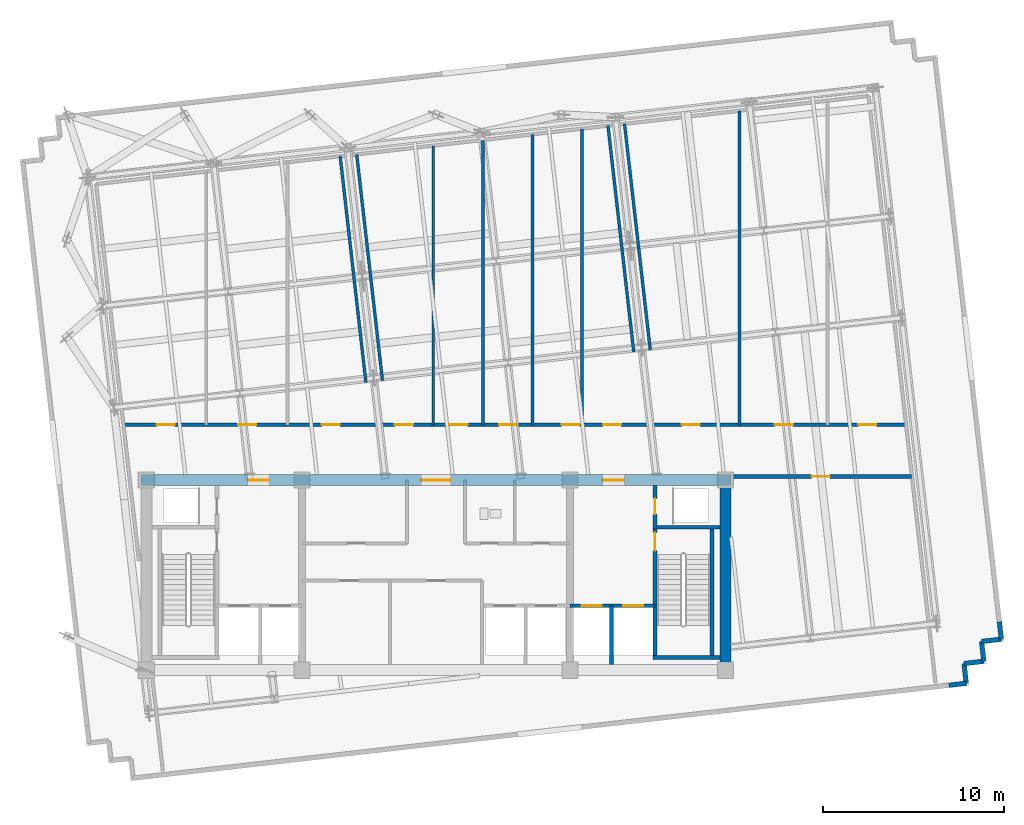
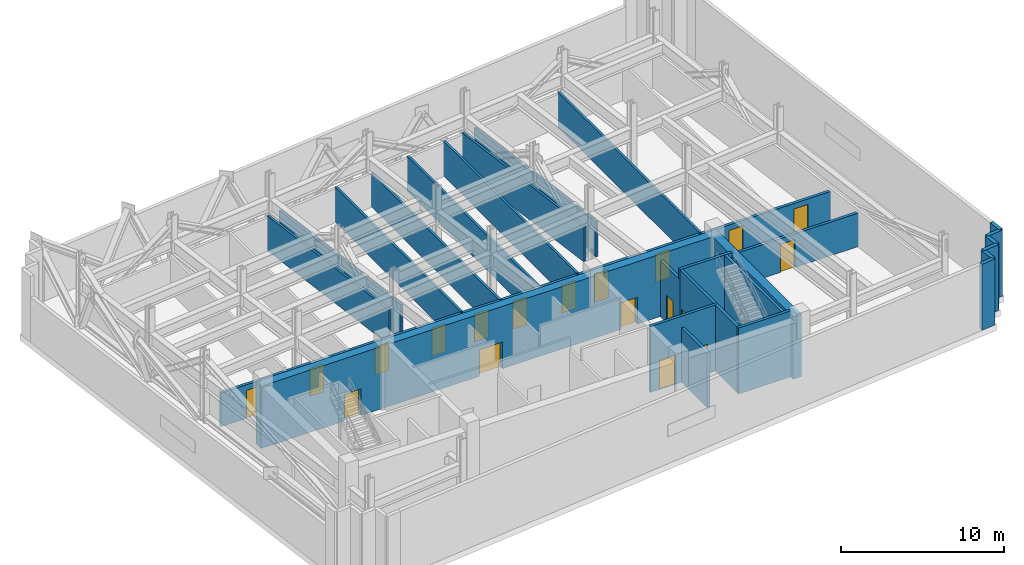
# One storey, part 6 of 10: 26 walls, 19 doors, 19 openings.
"""IFC4 building model written with IfcOpenShell, lengths in metres."""

from ifc_helpers import new_model, si_unit, direction, frame, frame_2d, origin, place, context, subcontext, project, spatial, rectangle, extrude, material, layer, layer_set, type_object, element, fill, save


model = new_model("IFC4")

# Units and contexts
model_context = context("Model", 3, precision=1e-05, world=origin(), true_north=direction((0.0, 1.0)))
body_context = subcontext(model_context, "Body", "Model", "MODEL_VIEW")
ifc_project = project(units=[si_unit("LENGTHUNIT", "METRE"), si_unit("AREAUNIT", "SQUARE_METRE"), si_unit("VOLUMEUNIT", "CUBIC_METRE"), si_unit("PLANEANGLEUNIT", "RADIAN"), si_unit("MASSUNIT", "GRAM", prefix="KILO")], contexts=[model_context])

# Site, building, storey
site_placement = place(None, origin())
site = spatial("IfcSite", under=ifc_project, at=site_placement, CompositionType="ELEMENT")
building_placement = place(site_placement, origin())
building = spatial("IfcBuilding", under=site, at=building_placement, Name="Solmavex Isthmus Hotel", CompositionType="ELEMENT")
storey_placement = place(building_placement, frame((0.0, 0.0, 240.0)))
storey = spatial("IfcBuildingStorey", under=building, at=storey_placement, Name="L65", CompositionType="ELEMENT", Elevation=240.0)

# Walls
ifc_material_1 = material(Name="Precast Concrete C40/50", Category="concrete")
ifc_layer_1 = layer(ifc_material_1, 0.260009765625)
ifc_layer_set_1 = layer_set([ifc_layer_1], Name="Precast Concrete C40/50")
wall_type_1 = type_object("IfcWallType", Name="EW-CRN-260", PredefinedType="STANDARD", material=ifc_layer_set_1)
wall_1_placement = place(storey_placement, frame((31.127685546875, -10.330322265625, 0.0), z_axis=(0.0, 0.0, 1.0), x_axis=(0.113000037402, -0.993594983656, 0.0)))
element("IfcWall", 1, at=wall_1_placement, inside=storey, type_object=wall_type_1, Name="Plant Acoustic Louvre Enclosure Wall L65-22", PredefinedType="STANDARD", context=body_context, shape_type="SweptSolid", body=[
    extrude(rectangle(XDim=0.969970703125, YDim=0.260009765625, at=frame_2d((0.48486328125, 0.0))), origin(), (0.0, 0.0, 1.0), 4.949951171875),
])
for number, where, z_axis, x_axis, name in (
    (2, (31.2373046875, -11.294189453125, 0.0), (0.0, 0.0, 1.0), (-0.99357125103, -0.11320852056, 0.0), "Plant Acoustic Louvre Enclosure Wall L65-23"),
    (3, (30.14453125, -11.418701171875, 0.0), (0.0, 0.0, 1.0), (0.11320852056, -0.99357125103, 0.0), "Plant Acoustic Louvre Enclosure Wall L65-24"),
):
    element("IfcWall", number, at=place(storey_placement, frame(where, z_axis=z_axis, x_axis=x_axis)), inside=storey, type_object=wall_type_1, Name=name, PredefinedType="STANDARD", context=body_context, shape_type="SweptSolid", body=[
        extrude(rectangle(XDim=1.099853515625, YDim=0.260009765625, at=frame_2d((0.5498046875, 0.0))), origin(), (0.0, 0.0, 1.0), 4.949951171875),
    ])
for number, where, z_axis, x_axis, name in (
    (4, (30.26904296875, -12.511474609375, 0.0), (0.0, 0.0, 1.0), (-0.99357409499, -0.113183557839, 0.0), "Plant Acoustic Louvre Enclosure Wall L65-25"),
    (5, (29.176025390625, -12.635986328125, 0.0), (0.0, 0.0, 1.0), (0.113183557839, -0.99357409499, 0.0), "Plant Acoustic Louvre Enclosure Wall L65-26"),
):
    element("IfcWall", number, at=place(storey_placement, frame(where, z_axis=z_axis, x_axis=x_axis)), inside=storey, type_object=wall_type_1, Name=name, PredefinedType="STANDARD", context=body_context, shape_type="SweptSolid", body=[
        extrude(rectangle(XDim=1.10009765625, YDim=0.260009765625, at=frame_2d((0.550048828125, 0.0))), origin(), (0.0, 0.0, 1.0), 4.949951171875),
    ])
wall_2_placement = place(storey_placement, frame((29.300537109375, -13.72900390625, 0.0), z_axis=(0.0, 0.0, 1.0), x_axis=(-0.99356346793, -0.113276807846, 0.0)))
element("IfcWall", 6, at=wall_2_placement, inside=storey, type_object=wall_type_1, Name="Plant Acoustic Louvre Enclosure Wall L65-27", PredefinedType="STANDARD", context=body_context, shape_type="SweptSolid", body=[
    extrude(rectangle(XDim=0.969970703125, YDim=0.260009765625, at=frame_2d((0.48486328125, 0.0))), origin(), (0.0, 0.0, 1.0), 4.949951171875),
])
ifc_material_2 = material(Name="Gypsum plasterboard lining", Category="gypsum")
ifc_layer_2 = layer(ifc_material_2, 0.159912109375)
ifc_layer_set_2 = layer_set([ifc_layer_2], Name="Gypsum plasterboard lining")
wall_type_2 = type_object("IfcWallType", Name="IW-COMP-160", PredefinedType="PARTITIONING", material=ifc_layer_set_2)
for number, where, z_axis, x_axis, name in (
    (7, (-3.870361328125, 2.892822265625, 0.0), (0.0, 0.0, 1.0), (-0.113202305604, 0.993571959148, 0.0), "Interior Partition Wall W-L65-OTWL"),
    (8, (-2.956298828125, 2.9970703125, 0.0), (0.0, 0.0, 1.0), (-0.113202305604, 0.993571959148, 0.0), "Interior Partition Wall W-L65-OTWR"),
):
    element("IfcWall", number, at=place(storey_placement, frame(where, z_axis=z_axis, x_axis=x_axis)), inside=storey, type_object=wall_type_2, Name=name, PredefinedType="PARTITIONING", context=body_context, shape_type="SweptSolid", body=[
        extrude(rectangle(XDim=12.579833984375, YDim=0.159912109375, at=frame_2d((6.2900390625, 0.0))), origin(), (0.0, 0.0, 1.0), 2.615966796875),
    ])
wall_3_placement = place(storey_placement, frame((10.926025390625, 4.57861328125, 0.0), z_axis=(0.0, 0.0, 1.0), x_axis=(-0.113200122826, 0.99357220784, 0.0)))
element("IfcWall", 9, at=wall_3_placement, inside=storey, type_object=wall_type_2, Name="Interior Partition Wall W-L65-OTEL", PredefinedType="PARTITIONING", context=body_context, shape_type="SweptSolid", body=[
    extrude(rectangle(XDim=12.580078125, YDim=0.159912109375, at=frame_2d((6.2900390625, 0.0))), origin(), (0.0, 0.0, 1.0), 2.615966796875),
])
wall_4_placement = place(storey_placement, frame((11.840087890625, 4.682861328125, 0.0), z_axis=(0.0, 0.0, 1.0), x_axis=(-0.113202305604, 0.993571959148, 0.0)))
element("IfcWall", 10, at=wall_4_placement, inside=storey, type_object=wall_type_2, Name="Interior Partition Wall W-L65-OTER", PredefinedType="PARTITIONING", context=body_context, shape_type="SweptSolid", body=[
    extrude(rectangle(XDim=12.579833984375, YDim=0.159912109375, at=frame_2d((6.2900390625, 0.0))), origin(), (0.0, 0.0, 1.0), 2.615966796875),
])
wall_5_placement = place(storey_placement, frame((-0.14990234375, 0.550048828125, 0.0), z_axis=(0.0, 0.0, 1.0), x_axis=(0.0, 1.0, 0.0)))
element("IfcWall", 11, at=wall_5_placement, inside=storey, type_object=wall_type_2, Name="Interior Partition Wall W-L65-PX4", PredefinedType="PARTITIONING", context=body_context, shape_type="SweptSolid", body=[
    extrude(rectangle(XDim=15.407958984375, YDim=0.159912109375, at=frame_2d((7.7041015625, 0.0))), origin(), (0.0, 0.0, 1.0), 2.615966796875),
])
wall_6_placement = place(storey_placement, frame((2.590087890625, 0.550048828125, 0.0), z_axis=(0.0, 0.0, 1.0), x_axis=(0.0, 1.0, 0.0)))
element("IfcWall", 12, at=wall_6_placement, inside=storey, type_object=wall_type_2, Name="Interior Partition Wall W-L65-PX5", PredefinedType="PARTITIONING", context=body_context, shape_type="SweptSolid", body=[
    extrude(rectangle(XDim=15.719970703125, YDim=0.159912109375, at=frame_2d((7.85986328125, 0.0))), origin(), (0.0, 0.0, 1.0), 2.518798828125),
])
wall_7_placement = place(storey_placement, frame((5.330078125, 0.550048828125, 0.0), z_axis=(0.0, 0.0, 1.0), x_axis=(0.0, 1.0, 0.0)))
element("IfcWall", 13, at=wall_7_placement, inside=storey, type_object=wall_type_2, Name="Interior Partition Wall W-L65-PX6", PredefinedType="PARTITIONING", context=body_context, shape_type="SweptSolid", body=[
    extrude(rectangle(XDim=16.0322265625, YDim=0.159912109375, at=frame_2d((8.01611328125, 0.0))), origin(), (0.0, 0.0, 1.0), 2.615966796875),
])
wall_8_placement = place(storey_placement, frame((8.070068359375, 0.550048828125, 0.0), z_axis=(0.0, 0.0, 1.0), x_axis=(0.0, 1.0, 0.0)))
element("IfcWall", 14, at=wall_8_placement, inside=storey, type_object=wall_type_2, Name="Interior Partition Wall W-L65-PX7", PredefinedType="PARTITIONING", context=body_context, shape_type="SweptSolid", body=[
    extrude(rectangle(XDim=16.344482421875, YDim=0.159912109375, at=frame_2d((8.17236328125, 0.0))), origin(), (0.0, 0.0, 1.0), 2.615966796875),
])
wall_9_placement = place(storey_placement, frame((16.77001953125, 0.550048828125, 0.0), z_axis=(0.0, 0.0, 1.0), x_axis=(0.0, 1.0, 0.0)))
element("IfcWall", 15, at=wall_9_placement, inside=storey, type_object=wall_type_2, Name="Interior Partition Wall W-L65-PX9", PredefinedType="PARTITIONING", context=body_context, shape_type="SweptSolid", body=[
    extrude(rectangle(XDim=17.335693359375, YDim=0.159912109375, at=frame_2d((8.66796875, 0.0))), origin(), (0.0, 0.0, 1.0), 2.615966796875),
])

# Wall, opening, door
ifc_material_3 = material(Name="Concrete C40/50", Category="concrete")
ifc_layer_3 = layer(ifc_material_3, 0.199951171875)
ifc_layer_set_3 = layer_set([ifc_layer_3], Name="Concrete C40/50")
wall_type_3 = type_object("IfcWallType", Name="IW-SHAFT-200", PredefinedType="PARTITIONING", material=ifc_layer_set_3)
wall_10_placement = place(storey_placement, frame((12.10009765625, -5.199951171875, 0.0), z_axis=(0.0, 0.0, 1.0), x_axis=(0.0, 1.0, 0.0)))
wall_10 = element("IfcWall", 16, at=wall_10_placement, inside=storey, type_object=wall_type_3, Name="Interior Partition Wall W-L65-RSE-W", PredefinedType="PARTITIONING", context=body_context, shape_type="SweptSolid", body=[
    extrude(rectangle(XDim=2.39990234375, YDim=0.199951171875, at=frame_2d((1.199951171875, 0.0))), origin(), (0.0, 0.0, 1.0), 4.195068359375),
])
opening_1_placement = place(wall_10_placement, frame((0.824951171875, 0.0, 0.0)))
opening_1 = element("IfcOpeningElement", 17, at=opening_1_placement, cuts=wall_10, Name="Opening ID-R085", PredefinedType="OPENING", context=body_context, shape_type="SweptSolid", body=[
    extrude(rectangle(XDim=0.85009765625, YDim=2.050048828125, at=frame_2d((0.425048828125, 1.02490234375))), frame((0.0, 0.10986328125, 0.0), z_axis=(0.0, -1.0, 0.0), x_axis=(1.0, 0.0, 0.0)), (0.0, 0.0, 1.0), 0.219970703125),
])
ifc_material_4 = material(Name="Steel ASTM A500 Grade C", Category="steel")
door_type_1 = type_object("IfcDoorType", Name="IDR-FD60-0850", OperationType="NOTDEFINED", PredefinedType="DOOR", material=ifc_material_4)
door_1_placement = place(opening_1_placement, frame((0.85009765625, 0.0, 0.0), z_axis=(0.0, 0.0, 1.0), x_axis=(-1.0, 0.0, 0.0)))
door_1 = element("IfcDoor", 18, at=door_1_placement, inside=storey, type_object=door_type_1, Name="Mechanical Riser Door L65", OperationType="SINGLE_SWING_LEFT", OverallHeight=2.050048828125, OverallWidth=0.85009765625, PredefinedType="DOOR", context=body_context, shape_type="SweptSolid", body=[
    extrude(rectangle(XDim=0.85009765625, YDim=2.050048828125, at=frame_2d((0.425048828125, 1.02490234375))), frame((0.0, 0.02490234375, 0.0), z_axis=(0.0, -1.0, 0.0), x_axis=(1.0, 0.0, 0.0)), (0.0, 0.0, 1.0), 0.050048828125),
])
fill(opening_1, door_1)

# Wall, openings, doors
wall_11_placement = place(storey_placement, frame((7.39990234375, -9.449951171875, 0.0), z_axis=(0.0, 0.0, 1.0), x_axis=(1.0, 0.0, 0.0)))
wall_11 = element("IfcWall", 19, at=wall_11_placement, inside=storey, type_object=wall_type_3, Name="Interior Partition Wall W-L65-FFLE-S", PredefinedType="PARTITIONING", context=body_context, shape_type="SweptSolid", body=[
    extrude(rectangle(XDim=4.7001953125, YDim=0.199951171875, at=frame_2d((2.35009765625, 0.0))), origin(), (0.0, 0.0, 1.0), 4.949951171875),
])
opening_2_placement = place(wall_11_placement, frame((2.949951171875, 0.0, 0.0)))
opening_2 = element("IfcOpeningElement", 20, at=opening_2_placement, cuts=wall_11, Name="Opening LD-FF", PredefinedType="OPENING", context=body_context, shape_type="SweptSolid", body=[
    extrude(rectangle(XDim=1.10009765625, YDim=2.199951171875, at=frame_2d((0.550048828125, 1.10009765625))), frame((0.0, 0.10986328125, 0.0), z_axis=(0.0, -1.0, 0.0), x_axis=(1.0, 0.0, 0.0)), (0.0, 0.0, 1.0), 0.219970703125),
])
opening_3_placement = place(wall_11_placement, frame((0.64990234375, 0.0, 0.0)))
opening_3 = element("IfcOpeningElement", 21, at=opening_3_placement, cuts=wall_11, Name="Opening LD-SV", PredefinedType="OPENING", context=body_context, shape_type="SweptSolid", body=[
    extrude(rectangle(XDim=1.10009765625, YDim=2.199951171875, at=frame_2d((0.550048828125, 1.10009765625))), frame((0.0, 0.10986328125, 0.0), z_axis=(0.0, -1.0, 0.0), x_axis=(1.0, 0.0, 0.0)), (0.0, 0.0, 1.0), 0.219970703125),
])
ifc_material_5 = material(Name="Stainless steel 316", Category="steel")
door_type_2 = type_object("IfcDoorType", Name="LDR-FF-1100", OperationType="NOTDEFINED", PredefinedType="DOOR", material=ifc_material_5)
door_2_placement = place(opening_2_placement, origin())
door_2 = element("IfcDoor", 22, at=door_2_placement, inside=storey, type_object=door_type_2, Name="Lift Landing Door FFL-2 L65", OperationType="SLIDING_TO_LEFT", OverallHeight=2.199951171875, OverallWidth=1.10009765625, PredefinedType="DOOR", context=body_context, shape_type="SweptSolid", body=[
    extrude(rectangle(XDim=1.10009765625, YDim=2.199951171875, at=frame_2d((0.550048828125, 1.10009765625))), frame((0.0, 0.02490234375, 0.0), z_axis=(0.0, -1.0, 0.0), x_axis=(1.0, 0.0, 0.0)), (0.0, 0.0, 1.0), 0.050048828125),
])
fill(opening_2, door_2)
door_type_3 = type_object("IfcDoorType", Name="LDR-SV-1100", OperationType="NOTDEFINED", PredefinedType="DOOR", material=ifc_material_5)
door_3_placement = place(opening_3_placement, origin())
door_3 = element("IfcDoor", 23, at=door_3_placement, inside=storey, type_object=door_type_3, Name="Lift Landing Door SVL-2 L65", OperationType="SLIDING_TO_RIGHT", OverallHeight=2.199951171875, OverallWidth=1.10009765625, PredefinedType="DOOR", context=body_context, shape_type="SweptSolid", body=[
    extrude(rectangle(XDim=1.10009765625, YDim=2.199951171875, at=frame_2d((0.550048828125, 1.10009765625))), frame((0.0, 0.02490234375, 0.0), z_axis=(0.0, -1.0, 0.0), x_axis=(1.0, 0.0, 0.0)), (0.0, 0.0, 1.0), 0.050048828125),
])
fill(opening_3, door_3)

# Wall
wall_12_placement = place(storey_placement, frame((9.699951171875, -12.699951171875, 0.0), z_axis=(0.0, 0.0, 1.0), x_axis=(0.0, 1.0, 0.0)))
element("IfcWall", 24, at=wall_12_placement, inside=storey, type_object=wall_type_3, Name="Interior Partition Wall W-L65-FFLE-M", PredefinedType="PARTITIONING", context=body_context, shape_type="SweptSolid", body=[
    extrude(rectangle(XDim=3.25, YDim=0.199951171875, at=frame_2d((1.625, 0.0))), origin(), (0.0, 0.0, 1.0), 4.0849609375),
])

# Wall, openings, doors
wall_13_placement = place(storey_placement, frame((-17.2451171875, 0.550048828125, 0.0), z_axis=(0.0, 0.0, 1.0), x_axis=(1.0, 0.0, 0.0)))
wall_13 = element("IfcWall", 25, at=wall_13_placement, inside=storey, type_object=wall_type_3, Name="Interior Partition Wall W-L65-PN", PredefinedType="PARTITIONING", context=body_context, shape_type="SweptSolid", body=[
    extrude(rectangle(XDim=43.19775390625, YDim=0.199951171875, at=frame_2d((21.598876953125, 0.0))), origin(), (0.0, 0.0, 1.0), 2.518798828125),
])
opening_4_placement = place(wall_13_placement, frame((1.81005859375, 0.0, 0.0)))
opening_4 = element("IfcOpeningElement", 26, at=opening_4_placement, cuts=wall_13, Name="Opening ID-F100", PredefinedType="OPENING", context=body_context, shape_type="SweptSolid", body=[
    extrude(rectangle(XDim=1.0, YDim=2.10009765625, at=frame_2d((0.5, 1.050048828125))), frame((0.0, 0.10986328125, 0.0), z_axis=(0.0, -1.0, 0.0), x_axis=(1.0, 0.0, 0.0)), (0.0, 0.0, 1.0), 0.219970703125),
])
opening_5_placement = place(wall_13_placement, frame((6.320068359375, 0.0, 0.0)))
opening_5 = element("IfcOpeningElement", 27, at=opening_5_placement, cuts=wall_13, Name="Opening ID-F100", PredefinedType="OPENING", context=body_context, shape_type="SweptSolid", body=[
    extrude(rectangle(XDim=1.0, YDim=2.10009765625, at=frame_2d((0.5, 1.050048828125))), frame((0.0, 0.10986328125, 0.0), z_axis=(0.0, -1.0, 0.0), x_axis=(1.0, 0.0, 0.0)), (0.0, 0.0, 1.0), 0.219970703125),
])
opening_6_placement = place(wall_13_placement, frame((10.93994140625, 0.0, 0.0)))
opening_6 = element("IfcOpeningElement", 28, at=opening_6_placement, cuts=wall_13, Name="Opening ID-F100", PredefinedType="OPENING", context=body_context, shape_type="SweptSolid", body=[
    extrude(rectangle(XDim=1.0, YDim=2.10009765625, at=frame_2d((0.5, 1.050048828125))), frame((0.0, 0.10986328125, 0.0), z_axis=(0.0, -1.0, 0.0), x_axis=(1.0, 0.0, 0.0)), (0.0, 0.0, 1.0), 0.219970703125),
])
opening_7_placement = place(wall_13_placement, frame((14.97998046875, 0.0, 0.0)))
opening_7 = element("IfcOpeningElement", 29, at=opening_7_placement, cuts=wall_13, Name="Opening ID-F100", PredefinedType="OPENING", context=body_context, shape_type="SweptSolid", body=[
    extrude(rectangle(XDim=1.0, YDim=2.10009765625, at=frame_2d((0.5, 1.050048828125))), frame((0.0, 0.10986328125, 0.0), z_axis=(0.0, -1.0, 0.0), x_axis=(1.0, 0.0, 0.0)), (0.0, 0.0, 1.0), 0.219970703125),
])
opening_8_placement = place(wall_13_placement, frame((17.989990234375, 0.0, 0.0)))
opening_8 = element("IfcOpeningElement", 30, at=opening_8_placement, cuts=wall_13, Name="Opening ID-F100", PredefinedType="OPENING", context=body_context, shape_type="SweptSolid", body=[
    extrude(rectangle(XDim=1.0, YDim=2.10009765625, at=frame_2d((0.5, 1.050048828125))), frame((0.0, 0.10986328125, 0.0), z_axis=(0.0, -1.0, 0.0), x_axis=(1.0, 0.0, 0.0)), (0.0, 0.0, 1.0), 0.219970703125),
])
opening_9_placement = place(wall_13_placement, frame((20.72998046875, 0.0, 0.0)))
opening_9 = element("IfcOpeningElement", 31, at=opening_9_placement, cuts=wall_13, Name="Opening ID-F100", PredefinedType="OPENING", context=body_context, shape_type="SweptSolid", body=[
    extrude(rectangle(XDim=1.0, YDim=2.10009765625, at=frame_2d((0.5, 1.050048828125))), frame((0.0, 0.10986328125, 0.0), z_axis=(0.0, -1.0, 0.0), x_axis=(1.0, 0.0, 0.0)), (0.0, 0.0, 1.0), 0.219970703125),
])
opening_10_placement = place(wall_13_placement, frame((24.18994140625, 0.0, 0.0)))
opening_10 = element("IfcOpeningElement", 32, at=opening_10_placement, cuts=wall_13, Name="Opening ID-F100", PredefinedType="OPENING", context=body_context, shape_type="SweptSolid", body=[
    extrude(rectangle(XDim=1.0, YDim=2.10009765625, at=frame_2d((0.5, 1.050048828125))), frame((0.0, 0.10986328125, 0.0), z_axis=(0.0, -1.0, 0.0), x_axis=(1.0, 0.0, 0.0)), (0.0, 0.0, 1.0), 0.219970703125),
])
opening_11_placement = place(wall_13_placement, frame((26.47998046875, 0.0, 0.0)))
opening_11 = element("IfcOpeningElement", 33, at=opening_11_placement, cuts=wall_13, Name="Opening ID-F100", PredefinedType="OPENING", context=body_context, shape_type="SweptSolid", body=[
    extrude(rectangle(XDim=1.0, YDim=2.10009765625, at=frame_2d((0.5, 1.050048828125))), frame((0.0, 0.10986328125, 0.0), z_axis=(0.0, -1.0, 0.0), x_axis=(1.0, 0.0, 0.0)), (0.0, 0.0, 1.0), 0.219970703125),
])
opening_12_placement = place(wall_13_placement, frame((30.830078125, 0.0, 0.0)))
opening_12 = element("IfcOpeningElement", 34, at=opening_12_placement, cuts=wall_13, Name="Opening ID-F100", PredefinedType="OPENING", context=body_context, shape_type="SweptSolid", body=[
    extrude(rectangle(XDim=1.0, YDim=2.10009765625, at=frame_2d((0.5, 1.050048828125))), frame((0.0, 0.10986328125, 0.0), z_axis=(0.0, -1.0, 0.0), x_axis=(1.0, 0.0, 0.0)), (0.0, 0.0, 1.0), 0.219970703125),
])
opening_13_placement = place(wall_13_placement, frame((35.969970703125, 0.0, 0.0)))
opening_13 = element("IfcOpeningElement", 35, at=opening_13_placement, cuts=wall_13, Name="Opening ID-F100", PredefinedType="OPENING", context=body_context, shape_type="SweptSolid", body=[
    extrude(rectangle(XDim=1.0, YDim=2.10009765625, at=frame_2d((0.5, 1.050048828125))), frame((0.0, 0.10986328125, 0.0), z_axis=(0.0, -1.0, 0.0), x_axis=(1.0, 0.0, 0.0)), (0.0, 0.0, 1.0), 0.219970703125),
])
opening_14_placement = place(wall_13_placement, frame((40.580078125, 0.0, 0.0)))
opening_14 = element("IfcOpeningElement", 36, at=opening_14_placement, cuts=wall_13, Name="Opening ID-F100", PredefinedType="OPENING", context=body_context, shape_type="SweptSolid", body=[
    extrude(rectangle(XDim=1.0, YDim=2.10009765625, at=frame_2d((0.5, 1.050048828125))), frame((0.0, 0.10986328125, 0.0), z_axis=(0.0, -1.0, 0.0), x_axis=(1.0, 0.0, 0.0)), (0.0, 0.0, 1.0), 0.219970703125),
])
door_type_4 = type_object("IfcDoorType", Name="IDR-FD90-1000", OperationType="NOTDEFINED", PredefinedType="DOOR", material=ifc_material_4)
door_4_placement = place(opening_4_placement, origin())
door_4 = element("IfcDoor", 37, at=door_4_placement, inside=storey, type_object=door_type_4, Name="Pressurised Area of Refuge West Door L65-1", OperationType="SINGLE_SWING_LEFT", OverallHeight=2.10009765625, OverallWidth=1.0, PredefinedType="DOOR", context=body_context, shape_type="SweptSolid", body=[
    extrude(rectangle(XDim=1.0, YDim=2.10009765625, at=frame_2d((0.5, 1.050048828125))), frame((0.0, 0.02490234375, 0.0), z_axis=(0.0, -1.0, 0.0), x_axis=(1.0, 0.0, 0.0)), (0.0, 0.0, 1.0), 0.050048828125),
])
fill(opening_4, door_4)
door_5_placement = place(opening_5_placement, origin())
door_5 = element("IfcDoor", 38, at=door_5_placement, inside=storey, type_object=door_type_4, Name="Accessible Refuge Area North-West Door L65-2", OperationType="SINGLE_SWING_RIGHT", OverallHeight=2.10009765625, OverallWidth=1.0, PredefinedType="DOOR", context=body_context, shape_type="SweptSolid", body=[
    extrude(rectangle(XDim=1.0, YDim=2.10009765625, at=frame_2d((0.5, 1.050048828125))), frame((0.0, 0.02490234375, 0.0), z_axis=(0.0, -1.0, 0.0), x_axis=(1.0, 0.0, 0.0)), (0.0, 0.0, 1.0), 0.050048828125),
])
fill(opening_5, door_5)
door_6_placement = place(opening_6_placement, origin())
door_6 = element("IfcDoor", 39, at=door_6_placement, inside=storey, type_object=door_type_4, Name="Hydronic Heat Exchanger Plant Room Door L65-3", OperationType="SINGLE_SWING_LEFT", OverallHeight=2.10009765625, OverallWidth=1.0, PredefinedType="DOOR", context=body_context, shape_type="SweptSolid", body=[
    extrude(rectangle(XDim=1.0, YDim=2.10009765625, at=frame_2d((0.5, 1.050048828125))), frame((0.0, 0.02490234375, 0.0), z_axis=(0.0, -1.0, 0.0), x_axis=(1.0, 0.0, 0.0)), (0.0, 0.0, 1.0), 0.050048828125),
])
fill(opening_6, door_6)
door_7_placement = place(opening_7_placement, origin())
door_7 = element("IfcDoor", 40, at=door_7_placement, inside=storey, type_object=door_type_4, Name="Primary Centrifugal Chiller Plant Room Door L65-4", OperationType="SINGLE_SWING_RIGHT", OverallHeight=2.10009765625, OverallWidth=1.0, PredefinedType="DOOR", context=body_context, shape_type="SweptSolid", body=[
    extrude(rectangle(XDim=1.0, YDim=2.10009765625, at=frame_2d((0.5, 1.050048828125))), frame((0.0, 0.02490234375, 0.0), z_axis=(0.0, -1.0, 0.0), x_axis=(1.0, 0.0, 0.0)), (0.0, 0.0, 1.0), 0.050048828125),
])
fill(opening_7, door_7)
door_8_placement = place(opening_8_placement, origin())
door_8 = element("IfcDoor", 41, at=door_8_placement, inside=storey, type_object=door_type_4, Name="Secondary Chilled Water Pump Plant Room Door L65-5", OperationType="SINGLE_SWING_LEFT", OverallHeight=2.10009765625, OverallWidth=1.0, PredefinedType="DOOR", context=body_context, shape_type="SweptSolid", body=[
    extrude(rectangle(XDim=1.0, YDim=2.10009765625, at=frame_2d((0.5, 1.050048828125))), frame((0.0, 0.02490234375, 0.0), z_axis=(0.0, -1.0, 0.0), x_axis=(1.0, 0.0, 0.0)), (0.0, 0.0, 1.0), 0.050048828125),
])
fill(opening_8, door_8)
door_9_placement = place(opening_9_placement, origin())
door_9 = element("IfcDoor", 42, at=door_9_placement, inside=storey, type_object=door_type_4, Name="Dedicated Outdoor Air Handling Plant Room Door L65-6", OperationType="SINGLE_SWING_RIGHT", OverallHeight=2.10009765625, OverallWidth=1.0, PredefinedType="DOOR", context=body_context, shape_type="SweptSolid", body=[
    extrude(rectangle(XDim=1.0, YDim=2.10009765625, at=frame_2d((0.5, 1.050048828125))), frame((0.0, 0.02490234375, 0.0), z_axis=(0.0, -1.0, 0.0), x_axis=(1.0, 0.0, 0.0)), (0.0, 0.0, 1.0), 0.050048828125),
])
fill(opening_9, door_9)
door_10_placement = place(opening_10_placement, origin())
door_10 = element("IfcDoor", 43, at=door_10_placement, inside=storey, type_object=door_type_4, Name="High-Voltage Transformer Plant Room Door L65-7", OperationType="SINGLE_SWING_LEFT", OverallHeight=2.10009765625, OverallWidth=1.0, PredefinedType="DOOR", context=body_context, shape_type="SweptSolid", body=[
    extrude(rectangle(XDim=1.0, YDim=2.10009765625, at=frame_2d((0.5, 1.050048828125))), frame((0.0, 0.02490234375, 0.0), z_axis=(0.0, -1.0, 0.0), x_axis=(1.0, 0.0, 0.0)), (0.0, 0.0, 1.0), 0.050048828125),
])
fill(opening_10, door_10)
door_11_placement = place(opening_11_placement, origin())
door_11 = element("IfcDoor", 44, at=door_11_placement, inside=storey, type_object=door_type_4, Name="Emergency Switchgear and UPS Plant Room Door L65-8", OperationType="SINGLE_SWING_RIGHT", OverallHeight=2.10009765625, OverallWidth=1.0, PredefinedType="DOOR", context=body_context, shape_type="SweptSolid", body=[
    extrude(rectangle(XDim=1.0, YDim=2.10009765625, at=frame_2d((0.5, 1.050048828125))), frame((0.0, 0.02490234375, 0.0), z_axis=(0.0, -1.0, 0.0), x_axis=(1.0, 0.0, 0.0)), (0.0, 0.0, 1.0), 0.050048828125),
])
fill(opening_11, door_11)
door_12_placement = place(opening_12_placement, origin())
door_12 = element("IfcDoor", 45, at=door_12_placement, inside=storey, type_object=door_type_4, Name="Smoke Exhaust and Pressurisation Plant Room Door L65-9", OperationType="SINGLE_SWING_LEFT", OverallHeight=2.10009765625, OverallWidth=1.0, PredefinedType="DOOR", context=body_context, shape_type="SweptSolid", body=[
    extrude(rectangle(XDim=1.0, YDim=2.10009765625, at=frame_2d((0.5, 1.050048828125))), frame((0.0, 0.02490234375, 0.0), z_axis=(0.0, -1.0, 0.0), x_axis=(1.0, 0.0, 0.0)), (0.0, 0.0, 1.0), 0.050048828125),
])
fill(opening_12, door_12)
door_13_placement = place(opening_13_placement, origin())
door_13 = element("IfcDoor", 46, at=door_13_placement, inside=storey, type_object=door_type_4, Name="Accessible Refuge Area North-East Door L65-10", OperationType="SINGLE_SWING_RIGHT", OverallHeight=2.10009765625, OverallWidth=1.0, PredefinedType="DOOR", context=body_context, shape_type="SweptSolid", body=[
    extrude(rectangle(XDim=1.0, YDim=2.10009765625, at=frame_2d((0.5, 1.050048828125))), frame((0.0, 0.02490234375, 0.0), z_axis=(0.0, -1.0, 0.0), x_axis=(1.0, 0.0, 0.0)), (0.0, 0.0, 1.0), 0.050048828125),
])
fill(opening_13, door_13)
door_14_placement = place(opening_14_placement, origin())
door_14 = element("IfcDoor", 47, at=door_14_placement, inside=storey, type_object=door_type_4, Name="Pressurised Area of Refuge East Door L65-11", OperationType="SINGLE_SWING_LEFT", OverallHeight=2.10009765625, OverallWidth=1.0, PredefinedType="DOOR", context=body_context, shape_type="SweptSolid", body=[
    extrude(rectangle(XDim=1.0, YDim=2.10009765625, at=frame_2d((0.5, 1.050048828125))), frame((0.0, 0.02490234375, 0.0), z_axis=(0.0, -1.0, 0.0), x_axis=(1.0, 0.0, 0.0)), (0.0, 0.0, 1.0), 0.050048828125),
])
fill(opening_14, door_14)

# Wall, opening, door
wall_14_placement = place(storey_placement, frame((16.300048828125, -2.300048828125, 0.0), z_axis=(0.0, 0.0, 1.0), x_axis=(1.0, 0.0, 0.0)))
wall_14 = element("IfcWall", 48, at=wall_14_placement, inside=storey, type_object=wall_type_3, Name="Interior Partition Wall W-L65-PSE", PredefinedType="PARTITIONING", context=body_context, shape_type="SweptSolid", body=[
    extrude(rectangle(XDim=9.977294921875, YDim=0.199951171875, at=frame_2d((4.98876953125, 0.0))), origin(), (0.0, 0.0, 1.0), 2.518798828125),
])
opening_15_placement = place(wall_14_placement, frame((4.455078125, 0.0, 0.0)))
opening_15 = element("IfcOpeningElement", 49, at=opening_15_placement, cuts=wall_14, Name="Opening ID-F100", PredefinedType="OPENING", context=body_context, shape_type="SweptSolid", body=[
    extrude(rectangle(XDim=1.0, YDim=2.10009765625, at=frame_2d((0.5, 1.050048828125))), frame((0.0, 0.10986328125, 0.0), z_axis=(0.0, -1.0, 0.0), x_axis=(1.0, 0.0, 0.0)), (0.0, 0.0, 1.0), 0.219970703125),
])
door_15_placement = place(opening_15_placement, frame((1.0, 0.0, 0.0), z_axis=(0.0, 0.0, 1.0), x_axis=(-1.0, 0.0, 0.0)))
door_15 = element("IfcDoor", 50, at=door_15_placement, inside=storey, type_object=door_type_4, Name="Emergency Telecom and BMS Plant Room Door L65", OperationType="SINGLE_SWING_RIGHT", OverallHeight=2.10009765625, OverallWidth=1.0, PredefinedType="DOOR", context=body_context, shape_type="SweptSolid", body=[
    extrude(rectangle(XDim=1.0, YDim=2.10009765625, at=frame_2d((0.5, 1.050048828125))), frame((0.0, 0.02490234375, 0.0), z_axis=(0.0, -1.0, 0.0), x_axis=(1.0, 0.0, 0.0)), (0.0, 0.0, 1.0), 0.050048828125),
])
fill(opening_15, door_15)

# Wall, openings, doors
ifc_material_6 = material(Name="Concrete C50/60", Category="concrete")
ifc_layer_4 = layer(ifc_material_6, 0.60009765625)
ifc_layer_set_4 = layer_set([ifc_layer_4], Name="Concrete C50/60")
wall_type_4 = type_object("IfcWallType", Name="WALL-CW-600", PredefinedType="SHEAR", material=ifc_layer_set_4)
wall_15_placement = place(storey_placement, frame((-16.300048828125, -2.5, 0.0), z_axis=(0.0, 0.0, 1.0), x_axis=(1.0, 0.0, 0.0)))
wall_15 = element("IfcWall", 51, at=wall_15_placement, inside=storey, type_object=wall_type_4, Name="Core Shear Wall North L65", PredefinedType="SHEAR", context=body_context, shape_type="SweptSolid", body=[
    extrude(rectangle(XDim=32.60009765625, YDim=0.60009765625, at=frame_2d((16.300048828125, 0.0))), origin(), (0.0, 0.0, 1.0), 4.669921875),
])
opening_16_placement = place(wall_15_placement, frame((5.925048828125, 0.0, 0.0)))
opening_16 = element("IfcOpeningElement", 52, at=opening_16_placement, cuts=wall_15, Name="Opening ID-F915", PredefinedType="OPENING", context=body_context, shape_type="SweptSolid", body=[
    extrude(rectangle(XDim=1.14990234375, YDim=2.0, at=frame_2d((0.574951171875, 1.0))), frame((0.0, 0.31005859375, 0.0), z_axis=(0.0, -1.0, 0.0), x_axis=(1.0, 0.0, 0.0)), (0.0, 0.0, 1.0), 0.6201171875),
])
opening_17_placement = place(wall_15_placement, frame((15.5, 0.0, 0.0)))
opening_17 = element("IfcOpeningElement", 53, at=opening_17_placement, cuts=wall_15, Name="Opening ID-F960", PredefinedType="OPENING", context=body_context, shape_type="SweptSolid", body=[
    extrude(rectangle(XDim=1.60009765625, YDim=2.0, at=frame_2d((0.800048828125, 1.0))), frame((0.0, 0.31005859375, 0.0), z_axis=(0.0, -1.0, 0.0), x_axis=(1.0, 0.0, 0.0)), (0.0, 0.0, 1.0), 0.6201171875),
])
opening_18_placement = place(wall_15_placement, frame((25.52490234375, 0.0, 0.0)))
opening_18 = element("IfcOpeningElement", 54, at=opening_18_placement, cuts=wall_15, Name="Opening ID-F915", PredefinedType="OPENING", context=body_context, shape_type="SweptSolid", body=[
    extrude(rectangle(XDim=1.14990234375, YDim=2.0, at=frame_2d((0.574951171875, 1.0))), frame((0.0, 0.31005859375, 0.0), z_axis=(0.0, -1.0, 0.0), x_axis=(1.0, 0.0, 0.0)), (0.0, 0.0, 1.0), 0.6201171875),
])
door_type_5 = type_object("IfcDoorType", Name="IDR-FD90-1150C", OperationType="NOTDEFINED", PredefinedType="DOOR", material=ifc_material_4)
door_16_placement = place(opening_16_placement, origin())
door_16 = element("IfcDoor", 55, at=door_16_placement, inside=storey, type_object=door_type_5, Name="Firefighting Lobby West Exit Door L65", OperationType="SINGLE_SWING_LEFT", OverallHeight=2.0, OverallWidth=1.14990234375, PredefinedType="DOOR", context=body_context, shape_type="SweptSolid", body=[
    extrude(rectangle(XDim=1.14990234375, YDim=2.0, at=frame_2d((0.574951171875, 1.0))), frame((0.0, 0.02490234375, 0.0), z_axis=(0.0, -1.0, 0.0), x_axis=(1.0, 0.0, 0.0)), (0.0, 0.0, 1.0), 0.050048828125),
])
fill(opening_16, door_16)
door_17_placement = place(opening_18_placement, origin())
door_17 = element("IfcDoor", 56, at=door_17_placement, inside=storey, type_object=door_type_5, Name="Firefighting Lobby East Exit Door L65", OperationType="SINGLE_SWING_RIGHT", OverallHeight=2.0, OverallWidth=1.14990234375, PredefinedType="DOOR", context=body_context, shape_type="SweptSolid", body=[
    extrude(rectangle(XDim=1.14990234375, YDim=2.0, at=frame_2d((0.574951171875, 1.0))), frame((0.0, 0.02490234375, 0.0), z_axis=(0.0, -1.0, 0.0), x_axis=(1.0, 0.0, 0.0)), (0.0, 0.0, 1.0), 0.050048828125),
])
fill(opening_18, door_17)
door_type_6 = type_object("IfcDoorType", Name="IDR-FD90-1600C", OperationType="NOTDEFINED", PredefinedType="DOOR", material=ifc_material_4)
door_18_placement = place(opening_17_placement, origin())
door_18 = element("IfcDoor", 57, at=door_18_placement, inside=storey, type_object=door_type_6, Name="Central Lift Lobby Door L65", OperationType="DOUBLE_DOOR_SINGLE_SWING", OverallHeight=2.0, OverallWidth=1.60009765625, PredefinedType="DOOR", context=body_context, shape_type="SweptSolid", body=[
    extrude(rectangle(XDim=1.60009765625, YDim=2.0, at=frame_2d((0.800048828125, 1.0))), frame((0.0, 0.02490234375, 0.0), z_axis=(0.0, -1.0, 0.0), x_axis=(1.0, 0.0, 0.0)), (0.0, 0.0, 1.0), 0.050048828125),
])
fill(opening_17, door_18)

# Walls
wall_16_placement = place(storey_placement, frame((16.0, -12.699951171875, 0.0), z_axis=(0.0, 0.0, 1.0), x_axis=(0.0, 1.0, 0.0)))
element("IfcWall", 58, at=wall_16_placement, inside=storey, type_object=wall_type_4, Name="Core Shear Wall East L65", PredefinedType="SHEAR", context=body_context, shape_type="SweptSolid", body=[
    extrude(rectangle(XDim=9.89990234375, YDim=0.60009765625, at=frame_2d((4.949951171875, 0.0))), origin(), (0.0, 0.0, 1.0), 4.669921875),
])
ifc_layer_5 = layer(ifc_material_3, 0.199951171875)
ifc_layer_set_5 = layer_set([ifc_layer_5], Name="Concrete C40/50")
wall_type_5 = type_object("IfcWallType", Name="WALL-SW-200", PredefinedType="SOLIDWALL", material=ifc_layer_set_5)
for number, where, z_axis, x_axis, name in (
    (59, (12.0, -12.300048828125, 0.0), (0.0, 0.0, 1.0), (1.0, 0.0, 0.0), "Stairwell Structural Wall SW-L65-ST2-S"),
    (60, (12.0, -5.10009765625, 0.0), (0.0, 0.0, 1.0), (1.0, 0.0, 0.0), "Stairwell Structural Wall SW-L65-ST2-N"),
):
    element("IfcWall", number, at=place(storey_placement, frame(where, z_axis=z_axis, x_axis=x_axis)), inside=storey, type_object=wall_type_5, Name=name, PredefinedType="SOLIDWALL", context=body_context, shape_type="SweptSolid", body=[
        extrude(rectangle(XDim=3.699951171875, YDim=0.199951171875, at=frame_2d((1.85009765625, 0.0))), origin(), (0.0, 0.0, 1.0), 4.949951171875),
    ])

# Wall, opening, door
wall_17_placement = place(storey_placement, frame((12.10009765625, -12.199951171875, 0.0), z_axis=(0.0, 0.0, 1.0), x_axis=(0.0, 1.0, 0.0)))
wall_17 = element("IfcWall", 61, at=wall_17_placement, inside=storey, type_object=wall_type_5, Name="Stairwell Structural Wall SW-L65-ST2-W", PredefinedType="SOLIDWALL", context=body_context, shape_type="SweptSolid", body=[
    extrude(rectangle(XDim=7.0, YDim=0.199951171875, at=frame_2d((3.5, 0.0))), origin(), (0.0, 0.0, 1.0), 4.949951171875),
])
opening_19_placement = place(wall_17_placement, frame((5.800048828125, 0.0, 0.0)))
opening_19 = element("IfcOpeningElement", 62, at=opening_19_placement, cuts=wall_17, Name="Opening ID-F100", PredefinedType="OPENING", context=body_context, shape_type="SweptSolid", body=[
    extrude(rectangle(XDim=1.0, YDim=2.10009765625, at=frame_2d((0.5, 1.050048828125))), frame((0.0, 0.10986328125, 0.0), z_axis=(0.0, -1.0, 0.0), x_axis=(1.0, 0.0, 0.0)), (0.0, 0.0, 1.0), 0.219970703125),
])
door_19_placement = place(opening_19_placement, origin())
door_19 = element("IfcDoor", 63, at=door_19_placement, inside=storey, type_object=door_type_4, Name="Stair ST-2 Fire Door L65", OperationType="SINGLE_SWING_RIGHT", OverallHeight=2.10009765625, OverallWidth=1.0, PredefinedType="DOOR", context=body_context, shape_type="SweptSolid", body=[
    extrude(rectangle(XDim=1.0, YDim=2.10009765625, at=frame_2d((0.5, 1.050048828125))), frame((0.0, 0.02490234375, 0.0), z_axis=(0.0, -1.0, 0.0), x_axis=(1.0, 0.0, 0.0)), (0.0, 0.0, 1.0), 0.050048828125),
])
fill(opening_19, door_19)

# Wall
wall_18_placement = place(storey_placement, frame((15.25, -12.199951171875, 0.0), z_axis=(0.0, 0.0, 1.0), x_axis=(0.0, 1.0, 0.0)))
element("IfcWall", 64, at=wall_18_placement, inside=storey, type_object=wall_type_5, Name="Stairwell Structural Wall SW-L65-ST2-E", PredefinedType="SOLIDWALL", context=body_context, shape_type="SweptSolid", body=[
    extrude(rectangle(XDim=7.0, YDim=0.199951171875, at=frame_2d((3.5, 0.0))), origin(), (0.0, 0.0, 1.0), 4.949951171875),
])

save(model, "model.ifc")
